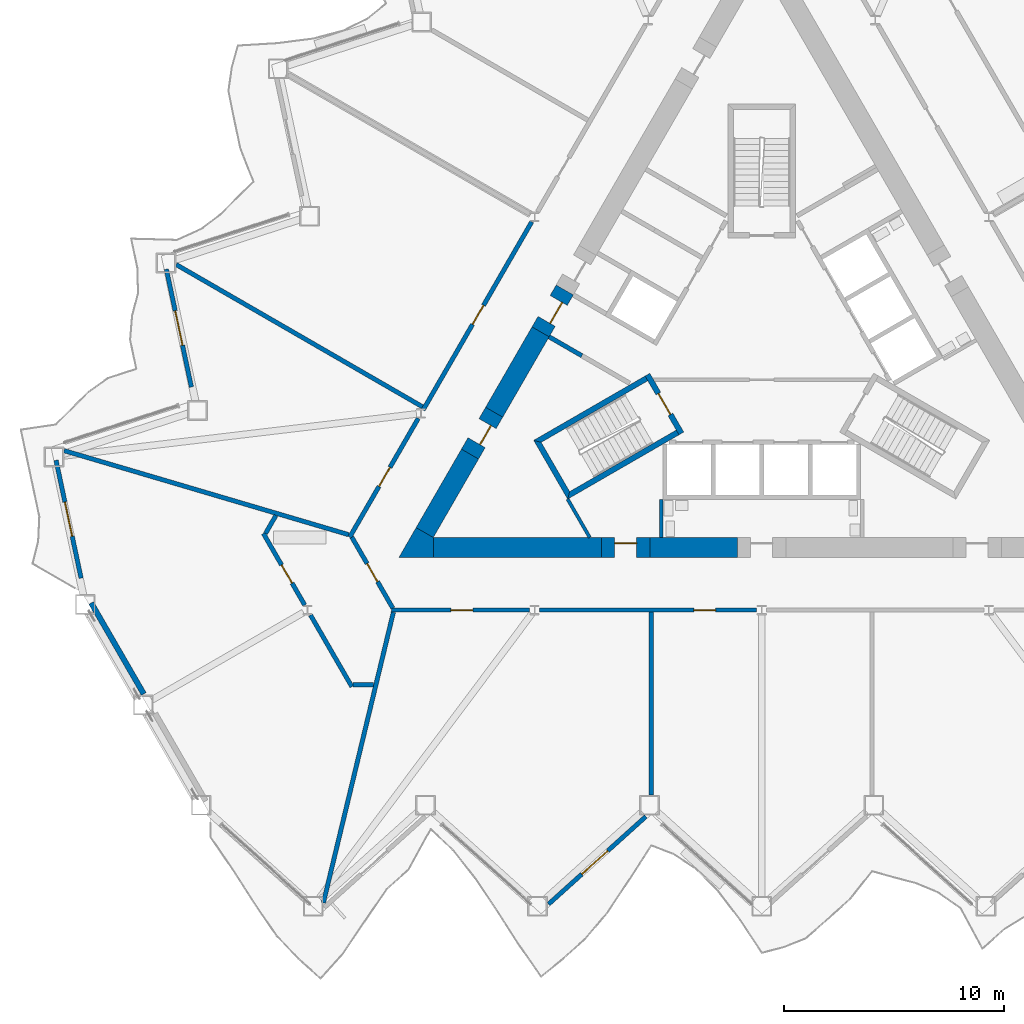
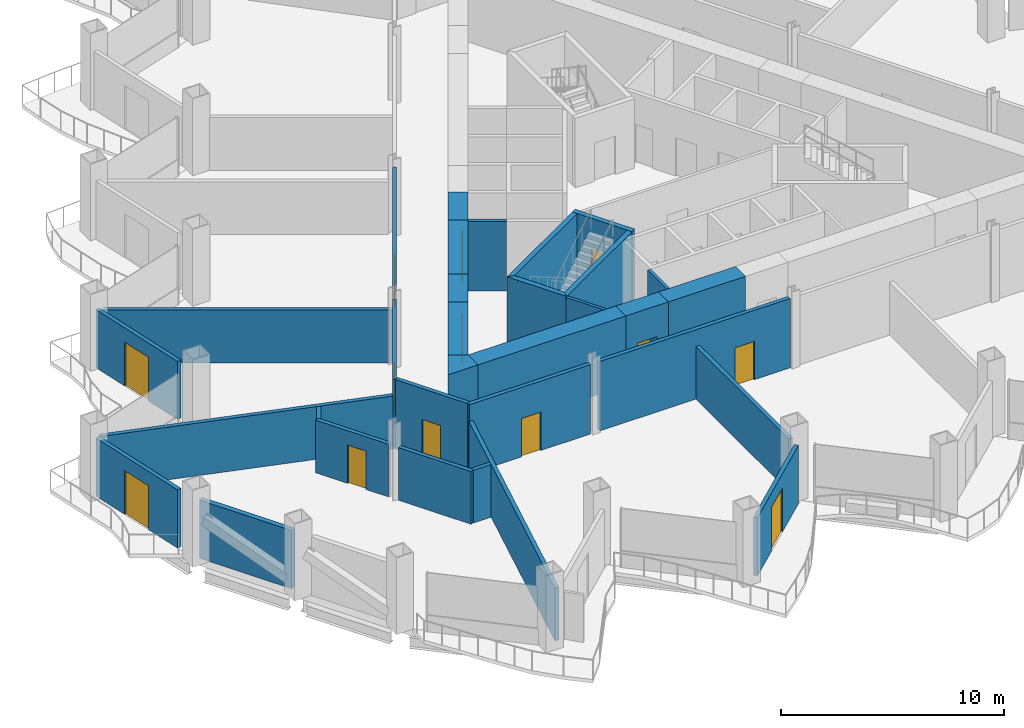
# One storey, part 10 of 21: 32 walls, 13 doors, 13 openings.
"""IFC4 building model written with IfcOpenShell, lengths in metres."""

from ifc_helpers import new_model, si_unit, direction, frame, frame_2d, origin, place, context, subcontext, project, spatial, polyline, rectangle, outline, extrude, material, layer, layer_set, type_object, element, fill, save


model = new_model("IFC4")

# Units and contexts
model_context = context("Model", 3, precision=1e-05, world=origin(), true_north=direction((0.0, 1.0)))
body_context = subcontext(model_context, "Body", "Model", "MODEL_VIEW")
ifc_project = project(units=[si_unit("LENGTHUNIT", "METRE"), si_unit("AREAUNIT", "SQUARE_METRE"), si_unit("VOLUMEUNIT", "CUBIC_METRE"), si_unit("PLANEANGLEUNIT", "RADIAN"), si_unit("MASSUNIT", "GRAM", prefix="KILO")], contexts=[model_context])

# Site, building, storey
site_placement = place(None, origin())
site = spatial("IfcSite", under=ifc_project, at=site_placement, CompositionType="ELEMENT")
building_placement = place(site_placement, origin())
building = spatial("IfcBuilding", under=site, at=building_placement, Name="Cormorant Prow Tower", CompositionType="ELEMENT")
storey_placement = place(building_placement, frame((0.0, 0.0, 120.60009765625)))
storey = spatial("IfcBuildingStorey", under=building, at=storey_placement, Name="L25", CompositionType="ELEMENT", Elevation=120.60009765625)

# Walls
ifc_material_1 = material(Name="Gypsum board partition")
ifc_layer_1 = layer(ifc_material_1, 0.14990234375)
ifc_layer_set_1 = layer_set([ifc_layer_1], Name="Gypsum board partition")
wall_type_1 = type_object("IfcWallType", Name="Core partition 150", PredefinedType="PARTITIONING", material=ifc_layer_set_1)
wall_1_placement = place(storey_placement, frame((-4.574951171875, -6.906005859375, 0.0), z_axis=(0.0, 0.0, 1.0), x_axis=(0.0, -1.0, 0.0)))
element("IfcWall", 1, at=wall_1_placement, inside=storey, type_object=wall_type_1, Name="Service room partition", PredefinedType="PARTITIONING", context=body_context, shape_type="SweptSolid", body=[
    extrude(rectangle(XDim=1.72021484375, YDim=0.14990234375, at=frame_2d((0.860107421875, 0.0))), origin(), (0.0, 0.0, 1.0), 3.7998046875),
])
wall_2_placement = place(storey_placement, frame((-8.82958984375, -6.880615234375, 0.0), z_axis=(0.0, 0.0, 1.0), x_axis=(0.500085890408, -0.865975809255, 0.0)))
element("IfcWall", 2, at=wall_2_placement, inside=storey, type_object=wall_type_1, Name="Service room partition", PredefinedType="PARTITIONING", context=body_context, shape_type="SweptSolid", body=[
    extrude(rectangle(XDim=2.015869140625, YDim=0.14990234375, at=frame_2d((1.0078125, 0.0))), origin(), (0.0, 0.0, 1.0), 3.7998046875),
])
ifc_material_2 = material(Name="Concrete 8000 psi", Category="concrete")
ifc_layer_2 = layer(ifc_material_2, 0.89990234375)
ifc_layer_set_2 = layer_set([ifc_layer_2], Name="Concrete 8000 psi")
wall_type_2 = type_object("IfcWallType", Name="Core shear wall 900", PredefinedType="SHEAR", material=ifc_layer_set_2)
wall_3_placement = place(storey_placement, frame((-14.941162109375, -9.076416015625, 0.0), z_axis=(0.0, 0.0, 1.0), x_axis=(1.0, 0.0, 0.0)))
element("IfcWall", 3, at=wall_3_placement, inside=storey, type_object=wall_type_2, Name="Core wall", PredefinedType="SHEAR", context=body_context, shape_type="SweptSolid", body=[
    extrude(rectangle(XDim=7.648681640625, YDim=0.89990234375, at=frame_2d((3.82421875, 0.0))), origin(), (0.0, 0.0, 1.0), 3.7998046875),
])
wall_4_placement = place(storey_placement, frame((-5.092529296875, -9.076416015625, 0.0), z_axis=(0.0, 0.0, 1.0), x_axis=(1.0, 0.0, 0.0)))
element("IfcWall", 4, at=wall_4_placement, inside=storey, type_object=wall_type_2, Name="Core wall", PredefinedType="SHEAR", context=body_context, shape_type="SweptSolid", body=[
    extrude(rectangle(XDim=3.992431640625, YDim=0.89990234375, at=frame_2d((1.99609375, 0.0))), origin(), (0.0, 0.0, 1.0), 3.7998046875),
])
wall_5_placement = place(storey_placement, frame((-10.060302734375, 0.7275390625, 0.0), z_axis=(0.0, 0.0, 1.0), x_axis=(-0.500021220092, -0.866013152012, 0.0)))
element("IfcWall", 5, at=wall_5_placement, inside=storey, type_object=wall_type_2, Name="Core wall", PredefinedType="SHEAR", context=body_context, shape_type="SweptSolid", body=[
    extrude(rectangle(XDim=4.220458984375, YDim=0.89990234375, at=frame_2d((2.1103515625, 0.0))), origin(), (0.0, 0.0, 1.0), 3.7998046875),
])
wall_6_placement = place(storey_placement, frame((-13.2705078125, -4.832763671875, 0.0), z_axis=(0.0, 0.0, 1.0), x_axis=(-0.499994272862, -0.866028710324, 0.0)))
element("IfcWall", 6, at=wall_6_placement, inside=storey, type_object=wall_type_2, Name="Core wall", PredefinedType="SHEAR", context=body_context, shape_type="SweptSolid", body=[
    extrude(rectangle(XDim=4.12060546875, YDim=0.89990234375, at=frame_2d((2.060302734375, 0.0))), origin(), (0.0, 0.0, 1.0), 3.7998046875),
])
wall_7_placement = place(storey_placement, origin())
element("IfcWall", 7, at=wall_7_placement, inside=storey, type_object=wall_type_2, Name="Core wall corner", PredefinedType="SHEAR", context=body_context, shape_type="SweptSolid", body=[
    extrude(outline(polyline([(-14.941162109375, -8.626220703125), (-14.941162109375, -9.5263671875), (-16.5, -9.5263671875), (-15.720703125, -8.17626953125), (-14.941162109375, -8.626220703125)])), origin(), (0.0, 0.0, 1.0), 3.7998046875),
])

# Wall, opening, door
wall_8_placement = place(storey_placement, frame((-12.170654296875, -2.927490234375, 0.0), z_axis=(0.0, 0.0, 1.0), x_axis=(-0.499946605688, -0.86605622881, 0.0)))
wall_8 = element("IfcWall", 8, at=wall_8_placement, inside=storey, type_object=wall_type_2, Name="Core wall door panel", PredefinedType="SHEAR", context=body_context, shape_type="SweptSolid", body=[
    extrude(rectangle(XDim=2.199951171875, YDim=0.89990234375, at=frame_2d((1.10009765625, 0.0))), origin(), (0.0, 0.0, 1.0), 3.7998046875),
])
opening_1_placement = place(wall_8_placement, frame((0.60009765625, 0.0, 0.0)))
opening_1 = element("IfcOpeningElement", 9, at=opening_1_placement, cuts=wall_8, Name="Opening L25-C17", PredefinedType="OPENING", context=body_context, shape_type="SweptSolid", body=[
    extrude(rectangle(XDim=1.0, YDim=2.10009765625, at=frame_2d((0.5, 1.050048828125))), frame((0.0, 0.4599609375, 0.0), z_axis=(0.0, -1.0, 0.0), x_axis=(1.0, 0.0, 0.0)), (0.0, 0.0, 1.0), 0.919921875),
])
ifc_material_3 = material(Name="Painted steel", Category="steel")
door_type_1 = type_object("IfcDoorType", Name="Service door 1000x2100", OperationType="NOTDEFINED", PredefinedType="DOOR", material=ifc_material_3)
door_1_placement = place(opening_1_placement, origin())
door_1 = element("IfcDoor", 10, at=door_1_placement, inside=storey, type_object=door_type_1, Name="Core door, Mechanical riser room", OperationType="SINGLE_SWING_RIGHT", OverallHeight=2.10009765625, OverallWidth=1.0, PredefinedType="DOOR", context=body_context, shape_type="SweptSolid", body=[
    extrude(rectangle(XDim=1.0, YDim=2.10009765625, at=frame_2d((0.5, 1.050048828125))), frame((0.0, 0.205078125, 0.0), z_axis=(0.0, -1.0, 0.0), x_axis=(1.0, 0.0, 0.0)), (0.0, 0.0, 1.0), 0.050048828125),
])
fill(opening_1, door_1)

wall_9_placement = place(storey_placement, frame((-7.29248046875, -9.076416015625, 0.0), z_axis=(0.0, 0.0, 1.0), x_axis=(1.0, 0.0, 0.0)))
wall_9 = element("IfcWall", 11, at=wall_9_placement, inside=storey, type_object=wall_type_2, Name="Core wall door panel", PredefinedType="SHEAR", context=body_context, shape_type="SweptSolid", body=[
    extrude(rectangle(XDim=2.199951171875, YDim=0.89990234375, at=frame_2d((1.10009765625, 0.0))), origin(), (0.0, 0.0, 1.0), 3.7998046875),
])
opening_2_placement = place(wall_9_placement, frame((0.60009765625, 0.0, 0.0)))
opening_2 = element("IfcOpeningElement", 12, at=opening_2_placement, cuts=wall_9, Name="Opening L25-C21", PredefinedType="OPENING", context=body_context, shape_type="SweptSolid", body=[
    extrude(rectangle(XDim=1.0, YDim=2.10009765625, at=frame_2d((0.5, 1.050048828125))), frame((0.0, 0.4599609375, 0.0), z_axis=(0.0, -1.0, 0.0), x_axis=(1.0, 0.0, 0.0)), (0.0, 0.0, 1.0), 0.919921875),
])
door_2_placement = place(opening_2_placement, origin())
door_2 = element("IfcDoor", 13, at=door_2_placement, inside=storey, type_object=door_type_1, Name="Core door, Mechanical riser room", OperationType="SINGLE_SWING_RIGHT", OverallHeight=2.10009765625, OverallWidth=1.0, PredefinedType="DOOR", context=body_context, shape_type="SweptSolid", body=[
    extrude(rectangle(XDim=1.0, YDim=2.10009765625, at=frame_2d((0.5, 1.050048828125))), frame((0.0, 0.205078125, 0.0), z_axis=(0.0, -1.0, 0.0), x_axis=(1.0, 0.0, 0.0)), (0.0, 0.0, 1.0), 0.050048828125),
])
fill(opening_2, door_2)

wall_10_placement = place(storey_placement, frame((-8.960205078125, 2.6328125, 0.0), z_axis=(0.0, 0.0, 1.0), x_axis=(-0.50002983664, -0.866008176907, 0.0)))
wall_10 = element("IfcWall", 14, at=wall_10_placement, inside=storey, type_object=wall_type_2, Name="Core wall door panel", PredefinedType="SHEAR", context=body_context, shape_type="SweptSolid", body=[
    extrude(rectangle(XDim=2.199951171875, YDim=0.89990234375, at=frame_2d((1.10009765625, 0.0))), origin(), (0.0, 0.0, 1.0), 3.7998046875),
])
opening_3_placement = place(wall_10_placement, frame((0.550048828125, 0.0, 0.0)))
opening_3 = element("IfcOpeningElement", 15, at=opening_3_placement, cuts=wall_10, Name="Opening L25-C22", PredefinedType="OPENING", context=body_context, shape_type="SweptSolid", body=[
    extrude(rectangle(XDim=1.10009765625, YDim=2.10009765625, at=frame_2d((0.550048828125, 1.050048828125))), frame((0.0, 0.4599609375, 0.0), z_axis=(0.0, -1.0, 0.0), x_axis=(1.0, 0.0, 0.0)), (0.0, 0.0, 1.0), 0.919921875),
])
ifc_material_4 = material(Name="Painted steel", Category="steel")
door_type_2 = type_object("IfcDoorType", Name="Core door 1100x2100", OperationType="NOTDEFINED", PredefinedType="DOOR", material=ifc_material_4)
door_3_placement = place(opening_3_placement, origin())
door_3 = element("IfcDoor", 16, at=door_3_placement, inside=storey, type_object=door_type_2, Name="Core door, lift lobby", OperationType="SINGLE_SWING_RIGHT", OverallHeight=2.10009765625, OverallWidth=1.10009765625, PredefinedType="DOOR", context=body_context, shape_type="SweptSolid", body=[
    extrude(rectangle(XDim=1.10009765625, YDim=2.10009765625, at=frame_2d((0.550048828125, 1.050048828125))), frame((0.0, 0.205078125, 0.0), z_axis=(0.0, -1.0, 0.0), x_axis=(1.0, 0.0, 0.0)), (0.0, 0.0, 1.0), 0.050048828125),
])
fill(opening_3, door_3)

ifc_material_5 = material(Name="Gypsum board corridor wall")
ifc_layer_3 = layer(ifc_material_5, 0.199951171875)
ifc_layer_set_3 = layer_set([ifc_layer_3], Name="Gypsum board corridor wall")
wall_type_3 = type_object("IfcWallType", Name="Corridor wall 200", PredefinedType="PARTITIONING", material=ifc_layer_set_3)
wall_11_placement = place(storey_placement, frame((-10.10107421875, -11.92626953125, 0.0), z_axis=(0.0, 0.0, 1.0), x_axis=(1.0, 0.0, 0.0)))
wall_11 = element("IfcWall", 17, at=wall_11_placement, inside=storey, type_object=wall_type_3, Name="Corridor wall", PredefinedType="PARTITIONING", context=body_context, shape_type="SweptSolid", body=[
    extrude(rectangle(XDim=9.873779296875, YDim=0.199951171875, at=frame_2d((4.93701171875, 0.0))), origin(), (0.0, 0.0, 1.0), 3.7998046875),
])
opening_4_placement = place(wall_11_placement, frame((7.009521484375, 0.0, 0.0)))
opening_4 = element("IfcOpeningElement", 18, at=opening_4_placement, cuts=wall_11, Name="Opening L25-F02", PredefinedType="OPENING", context=body_context, shape_type="SweptSolid", body=[
    extrude(rectangle(XDim=1.0, YDim=2.10009765625, at=frame_2d((0.5, 1.050048828125))), frame((0.0, 0.10986328125, 0.0), z_axis=(0.0, -1.0, 0.0), x_axis=(1.0, 0.0, 0.0)), (0.0, 0.0, 1.0), 0.219970703125),
])
ifc_material_6 = material(Name="Timber door leaf", Category="wood")
door_type_3 = type_object("IfcDoorType", Name="Office door 1000x2100", OperationType="NOTDEFINED", PredefinedType="DOOR", material=ifc_material_6)
door_4_placement = place(opening_4_placement, origin())
door_4 = element("IfcDoor", 19, at=door_4_placement, inside=storey, type_object=door_type_3, Name="Co-working room door", OperationType="SINGLE_SWING_RIGHT", OverallHeight=2.10009765625, OverallWidth=1.0, PredefinedType="DOOR", context=body_context, shape_type="SweptSolid", body=[
    extrude(rectangle(XDim=1.0, YDim=2.10009765625, at=frame_2d((0.5, 1.050048828125))), frame((0.0, 0.02490234375, 0.0), z_axis=(0.0, -1.0, 0.0), x_axis=(1.0, 0.0, 0.0)), (0.0, 0.0, 1.0), 0.050048828125),
])
fill(opening_4, door_4)

wall_12_placement = place(storey_placement, frame((-15.401611328125, -2.823486328125, 0.0), z_axis=(0.0, 0.0, 1.0), x_axis=(0.500023237168, 0.866011987384, 0.0)))
wall_12 = element("IfcWall", 20, at=wall_12_placement, inside=storey, type_object=wall_type_3, Name="Corridor wall", PredefinedType="PARTITIONING", context=body_context, shape_type="SweptSolid", body=[
    extrude(rectangle(XDim=9.88330078125, YDim=0.199951171875, at=frame_2d((4.941650390625, 0.0))), origin(), (0.0, 0.0, 1.0), 3.7998046875),
])
opening_5_placement = place(wall_12_placement, frame((4.4921875, 0.0, 0.0)))
opening_5 = element("IfcOpeningElement", 21, at=opening_5_placement, cuts=wall_12, Name="Opening L25-F11", PredefinedType="OPENING", context=body_context, shape_type="SweptSolid", body=[
    extrude(rectangle(XDim=1.0, YDim=2.10009765625, at=frame_2d((0.5, 1.050048828125))), frame((0.0, 0.10986328125, 0.0), z_axis=(0.0, -1.0, 0.0), x_axis=(1.0, 0.0, 0.0)), (0.0, 0.0, 1.0), 0.219970703125),
])
door_5_placement = place(opening_5_placement, origin())
door_5 = element("IfcDoor", 22, at=door_5_placement, inside=storey, type_object=door_type_3, Name="Open-plan office door", OperationType="SINGLE_SWING_RIGHT", OverallHeight=2.10009765625, OverallWidth=1.0, PredefinedType="DOOR", context=body_context, shape_type="SweptSolid", body=[
    extrude(rectangle(XDim=1.0, YDim=2.10009765625, at=frame_2d((0.5, 1.050048828125))), frame((0.0, 0.02490234375, 0.0), z_axis=(0.0, -1.0, 0.0), x_axis=(1.0, 0.0, 0.0)), (0.0, 0.0, 1.0), 0.050048828125),
])
fill(opening_5, door_5)

wall_13_placement = place(storey_placement, frame((-16.830810546875, -11.92626953125, 0.0), z_axis=(0.0, 0.0, 1.0), x_axis=(1.0, 0.0, 0.0)))
wall_13 = element("IfcWall", 23, at=wall_13_placement, inside=storey, type_object=wall_type_3, Name="Corridor wall", PredefinedType="PARTITIONING", context=body_context, shape_type="SweptSolid", body=[
    extrude(rectangle(XDim=6.27490234375, YDim=0.199951171875, at=frame_2d((3.137451171875, 0.0))), origin(), (0.0, 0.0, 1.0), 3.7998046875),
])
opening_6_placement = place(wall_13_placement, frame((2.688232421875, 0.0, 0.0)))
opening_6 = element("IfcOpeningElement", 24, at=opening_6_placement, cuts=wall_13, Name="Opening L25-F01", PredefinedType="OPENING", context=body_context, shape_type="SweptSolid", body=[
    extrude(rectangle(XDim=1.0, YDim=2.10009765625, at=frame_2d((0.5, 1.050048828125))), frame((0.0, 0.10986328125, 0.0), z_axis=(0.0, -1.0, 0.0), x_axis=(1.0, 0.0, 0.0)), (0.0, 0.0, 1.0), 0.219970703125),
])
door_6_placement = place(opening_6_placement, origin())
door_6 = element("IfcDoor", 25, at=door_6_placement, inside=storey, type_object=door_type_3, Name="Tenant suite door", OperationType="SINGLE_SWING_RIGHT", OverallHeight=2.10009765625, OverallWidth=1.0, PredefinedType="DOOR", context=body_context, shape_type="SweptSolid", body=[
    extrude(rectangle(XDim=1.0, YDim=2.10009765625, at=frame_2d((0.5, 1.050048828125))), frame((0.0, 0.02490234375, 0.0), z_axis=(0.0, -1.0, 0.0), x_axis=(1.0, 0.0, 0.0)), (0.0, 0.0, 1.0), 0.050048828125),
])
fill(opening_6, door_6)

wall_14_placement = place(storey_placement, frame((-18.743896484375, -8.61279296875, 0.0), z_axis=(0.0, 0.0, 1.0), x_axis=(0.499997920671, 0.866026604282, 0.0)))
wall_14 = element("IfcWall", 26, at=wall_14_placement, inside=storey, type_object=wall_type_3, Name="Corridor wall", PredefinedType="PARTITIONING", context=body_context, shape_type="SweptSolid", body=[
    extrude(rectangle(XDim=6.23974609375, YDim=0.199951171875, at=frame_2d((3.119873046875, 0.0))), origin(), (0.0, 0.0, 1.0), 3.7998046875),
])
opening_7_placement = place(wall_14_placement, frame((2.67041015625, 0.0, 0.0)))
opening_7 = element("IfcOpeningElement", 27, at=opening_7_placement, cuts=wall_14, Name="Opening L25-F12", PredefinedType="OPENING", context=body_context, shape_type="SweptSolid", body=[
    extrude(rectangle(XDim=1.0, YDim=2.10009765625, at=frame_2d((0.5, 1.050048828125))), frame((0.0, 0.10986328125, 0.0), z_axis=(0.0, -1.0, 0.0), x_axis=(1.0, 0.0, 0.0)), (0.0, 0.0, 1.0), 0.219970703125),
])
door_7_placement = place(opening_7_placement, origin())
door_7 = element("IfcDoor", 28, at=door_7_placement, inside=storey, type_object=door_type_3, Name="Tenant suite door", OperationType="SINGLE_SWING_RIGHT", OverallHeight=2.10009765625, OverallWidth=1.0, PredefinedType="DOOR", context=body_context, shape_type="SweptSolid", body=[
    extrude(rectangle(XDim=1.0, YDim=2.10009765625, at=frame_2d((0.5, 1.050048828125))), frame((0.0, 0.02490234375, 0.0), z_axis=(0.0, -1.0, 0.0), x_axis=(1.0, 0.0, 0.0)), (0.0, 0.0, 1.0), 0.050048828125),
])
fill(opening_7, door_7)

wall_15_placement = place(storey_placement, frame((-18.643798828125, -8.61279296875, 0.0), z_axis=(0.0, 0.0, 1.0), x_axis=(0.499958791762, -0.866049194065, 0.0)))
wall_15 = element("IfcWall", 29, at=wall_15_placement, inside=storey, type_object=wall_type_3, Name="Corridor wall", PredefinedType="PARTITIONING", context=body_context, shape_type="SweptSolid", body=[
    extrude(rectangle(XDim=3.725830078125, YDim=0.199951171875, at=frame_2d((1.86279296875, 0.0))), origin(), (0.0, 0.0, 1.0), 3.7998046875),
])
opening_8_placement = place(wall_15_placement, frame((1.387939453125, 0.0, 0.0)))
opening_8 = element("IfcOpeningElement", 30, at=opening_8_placement, cuts=wall_15, Name="Opening L25-F13", PredefinedType="OPENING", context=body_context, shape_type="SweptSolid", body=[
    extrude(rectangle(XDim=0.949951171875, YDim=2.10009765625, at=frame_2d((0.47509765625, 1.050048828125))), frame((0.0, 0.10986328125, 0.0), z_axis=(0.0, -1.0, 0.0), x_axis=(1.0, 0.0, 0.0)), (0.0, 0.0, 1.0), 0.219970703125),
])
ifc_material_7 = material(Name="Timber door leaf", Category="wood")
door_type_4 = type_object("IfcDoorType", Name="Store door 950x2100", OperationType="NOTDEFINED", PredefinedType="DOOR", material=ifc_material_7)
door_8_placement = place(opening_8_placement, origin())
door_8 = element("IfcDoor", 31, at=door_8_placement, inside=storey, type_object=door_type_4, Name="Tea point and pantry door", OperationType="SINGLE_SWING_RIGHT", OverallHeight=2.10009765625, OverallWidth=0.949951171875, PredefinedType="DOOR", context=body_context, shape_type="SweptSolid", body=[
    extrude(rectangle(XDim=0.949951171875, YDim=2.10009765625, at=frame_2d((0.47509765625, 1.050048828125))), frame((0.0, 0.02490234375, 0.0), z_axis=(0.0, -1.0, 0.0), x_axis=(1.0, 0.0, 0.0)), (0.0, 0.0, 1.0), 0.050048828125),
])
fill(opening_8, door_8)

# Walls
ifc_material_8 = material(Name="Gypsum board demising wall")
ifc_layer_4 = layer(ifc_material_8, 0.199951171875)
ifc_layer_set_4 = layer_set([ifc_layer_4], Name="Gypsum board demising wall")
wall_type_4 = type_object("IfcWallType", Name="Demising wall 200", PredefinedType="PARTITIONING", material=ifc_layer_set_4)
wall_16_placement = place(storey_placement, frame((-19.939697265625, -25.244384765625, 0.0), z_axis=(0.0, 0.0, 1.0), x_axis=(0.234226353532, 0.972182089586, 0.0)))
element("IfcWall", 32, at=wall_16_placement, inside=storey, type_object=wall_type_4, Name="Demising wall", PredefinedType="PARTITIONING", context=body_context, shape_type="SweptSolid", body=[
    extrude(rectangle(XDim=13.599365234375, YDim=0.199951171875, at=frame_2d((6.7998046875, 0.0))), origin(), (0.0, 0.0, 1.0), 2.88525390625),
])
wall_17_placement = place(storey_placement, frame((-31.736083984375, -4.674560546875, 0.0), z_axis=(0.0, 0.0, 1.0), x_axis=(0.959053889024, -0.283223653581, 0.0)))
element("IfcWall", 33, at=wall_17_placement, inside=storey, type_object=wall_type_4, Name="Demising wall", PredefinedType="PARTITIONING", context=body_context, shape_type="SweptSolid", body=[
    extrude(rectangle(XDim=13.4990234375, YDim=0.199951171875, at=frame_2d((6.74951171875, 0.0))), origin(), (0.0, 0.0, 1.0), 2.88525390625),
])
wall_18_placement = place(storey_placement, frame((-26.63623046875, 3.789794921875, 0.0), z_axis=(0.0, 0.0, 1.0), x_axis=(0.866029074283, -0.499993642455, 0.0)))
element("IfcWall", 34, at=wall_18_placement, inside=storey, type_object=wall_type_4, Name="Demising wall", PredefinedType="PARTITIONING", context=body_context, shape_type="SweptSolid", body=[
    extrude(rectangle(XDim=12.936279296875, YDim=0.199951171875, at=frame_2d((6.46826171875, 0.0))), origin(), (0.0, 0.0, 1.0), 2.88525390625),
])
wall_19_placement = place(storey_placement, frame((-5.01806640625, -20.34716796875, 0.0), z_axis=(0.0, 0.0, 1.0), x_axis=(0.0, 1.0, 0.0)))
element("IfcWall", 35, at=wall_19_placement, inside=storey, type_object=wall_type_4, Name="Demising wall", PredefinedType="PARTITIONING", context=body_context, shape_type="SweptSolid", body=[
    extrude(rectangle(XDim=8.32080078125, YDim=0.199951171875, at=frame_2d((4.160400390625, 0.0))), origin(), (0.0, 0.0, 1.0), 2.88525390625),
])
wall_20_placement = place(storey_placement, frame((-20.525634765625, -12.15380859375, 0.0), z_axis=(0.0, 0.0, 1.0), x_axis=(0.500046282919, -0.86599868068, 0.0)))
element("IfcWall", 36, at=wall_20_placement, inside=storey, type_object=wall_type_4, Name="Demising wall", PredefinedType="PARTITIONING", context=body_context, shape_type="SweptSolid", body=[
    extrude(rectangle(XDim=3.763427734375, YDim=0.199951171875, at=frame_2d((1.8818359375, 0.0))), origin(), (0.0, 0.0, 1.0), 2.88525390625),
])

# Wall, opening, door
wall_21_placement = place(storey_placement, frame((-22.669921875, -8.439697265625, 0.0), z_axis=(0.0, 0.0, 1.0), x_axis=(0.500018191375, -0.866014900734, 0.0)))
wall_21 = element("IfcWall", 37, at=wall_21_placement, inside=storey, type_object=wall_type_4, Name="Demising wall", PredefinedType="PARTITIONING", context=body_context, shape_type="SweptSolid", body=[
    extrude(rectangle(XDim=3.763427734375, YDim=0.199951171875, at=frame_2d((1.8818359375, 0.0))), origin(), (0.0, 0.0, 1.0), 2.88525390625),
])
opening_9_placement = place(wall_21_placement, frame((1.658203125, 0.0, 0.0)))
opening_9 = element("IfcOpeningElement", 38, at=opening_9_placement, cuts=wall_21, Name="Opening L25-F14", PredefinedType="OPENING", context=body_context, shape_type="SweptSolid", body=[
    extrude(rectangle(XDim=0.949951171875, YDim=2.10009765625, at=frame_2d((0.47509765625, 1.050048828125))), frame((0.0, 0.10986328125, 0.0), z_axis=(0.0, -1.0, 0.0), x_axis=(1.0, 0.0, 0.0)), (0.0, 0.0, 1.0), 0.219970703125),
])
door_9_placement = place(opening_9_placement, origin())
door_9 = element("IfcDoor", 39, at=door_9_placement, inside=storey, type_object=door_type_4, Name="Print and copy room door", OperationType="SINGLE_SWING_LEFT", OverallHeight=2.10009765625, OverallWidth=0.949951171875, PredefinedType="DOOR", context=body_context, shape_type="SweptSolid", body=[
    extrude(rectangle(XDim=0.949951171875, YDim=2.10009765625, at=frame_2d((0.47509765625, 1.050048828125))), frame((0.0, 0.02490234375, 0.0), z_axis=(0.0, -1.0, 0.0), x_axis=(1.0, 0.0, 0.0)), (0.0, 0.0, 1.0), 0.050048828125),
])
fill(opening_9, door_9)

# Walls
for number, where, z_axis, x_axis, name in (
    (40, (-18.593994140625, -15.326416015625, 0.0), (0.0, 0.0, 1.0), (1.0, 0.0, 0.0), "Demising wall"),
    (41, (-22.56982421875, -8.439697265625, 0.0), (0.0, 0.0, 1.0), (0.500006071987, 0.866021898093, 0.0), "Demising wall"),
):
    element("IfcWall", number, at=place(storey_placement, frame(where, z_axis=z_axis, x_axis=x_axis)), inside=storey, type_object=wall_type_4, Name=name, PredefinedType="PARTITIONING", context=body_context, shape_type="SweptSolid", body=[
        extrude(rectangle(XDim=0.94384765625, YDim=0.199951171875, at=frame_2d((0.471923828125, 0.0))), origin(), (0.0, 0.0, 1.0), 2.88525390625),
    ])
ifc_material_9 = material(Name="Concrete 8000 psi", Category="concrete")
ifc_layer_5 = layer(ifc_material_9, 0.199951171875)
ifc_layer_set_5 = layer_set([ifc_layer_5], Name="Concrete 8000 psi")
wall_type_5 = type_object("IfcWallType", Name="Lift shaft wall 200", PredefinedType="SHEAR", material=ifc_layer_set_5)
wall_22_placement = place(storey_placement, frame((-8.180908203125, -0.357421875, 0.0), z_axis=(0.0, 0.0, 1.0), x_axis=(-0.866024871741, 0.500000921525, 0.0)))
element("IfcWall", 42, at=wall_22_placement, inside=storey, type_object=wall_type_5, Name="Lobby passage wall", PredefinedType="SHEAR", context=body_context, shape_type="SweptSolid", body=[
    extrude(rectangle(XDim=1.72021484375, YDim=0.199951171875, at=frame_2d((0.860107421875, 0.0))), origin(), (0.0, 0.0, 1.0), 3.7998046875),
])
ifc_material_10 = material(Name="Concrete 8000 psi", Category="concrete")
ifc_layer_6 = layer(ifc_material_10, 0.25)
ifc_layer_set_6 = layer_set([ifc_layer_6], Name="Concrete 8000 psi")
wall_type_6 = type_object("IfcWallType", Name="Stair wall 250", PredefinedType="SHEAR", material=ifc_layer_set_6)
wall_23_placement = place(storey_placement, origin())
element("IfcWall", 43, at=wall_23_placement, inside=storey, type_object=wall_type_6, Name="Stair ST1 enclosure wall (flank)", PredefinedType="SHEAR", context=body_context, shape_type="SweptSolid", body=[
    extrude(outline(polyline([(-5.30712890625, -1.28125), (-10.37353515625, -4.206298828125), (-10.031982421875, -4.2978515625), (-5.18212890625, -1.497802734375), (-5.30712890625, -1.28125)])), origin(), (0.0, 0.0, 1.0), 3.7998046875),
])
wall_24_placement = place(storey_placement, origin())
element("IfcWall", 44, at=wall_24_placement, inside=storey, type_object=wall_type_6, Name="Stair ST1 enclosure wall (end)", PredefinedType="SHEAR", context=body_context, shape_type="SweptSolid", body=[
    extrude(outline(polyline([(-10.37353515625, -4.206298828125), (-8.82958984375, -6.880615234375), (-8.738037109375, -6.5390625), (-10.031982421875, -4.2978515625), (-10.37353515625, -4.206298828125)])), origin(), (0.0, 0.0, 1.0), 3.7998046875),
])
wall_25_placement = place(storey_placement, origin())
element("IfcWall", 45, at=wall_25_placement, inside=storey, type_object=wall_type_6, Name="Stair ST1 enclosure wall (flank)", PredefinedType="SHEAR", context=body_context, shape_type="SweptSolid", body=[
    extrude(outline(polyline([(-8.738037109375, -6.5390625), (-8.82958984375, -6.880615234375), (-3.76318359375, -3.95556640625), (-3.88818359375, -3.739013671875), (-8.738037109375, -6.5390625)])), origin(), (0.0, 0.0, 1.0), 3.7998046875),
])

# Wall, opening, door
wall_26_placement = place(storey_placement, frame((-5.198974609375, -1.21875, 0.0), z_axis=(0.0, 0.0, 1.0), x_axis=(0.499982516597, -0.866035497597, 0.0)))
wall_26 = element("IfcWall", 46, at=wall_26_placement, inside=storey, type_object=wall_type_6, Name="Stair ST1 door wall", PredefinedType="SHEAR", context=body_context, shape_type="SweptSolid", body=[
    extrude(rectangle(XDim=3.087890625, YDim=0.25, at=frame_2d((1.5439453125, 0.0))), origin(), (0.0, 0.0, 1.0), 3.7998046875),
])
opening_10_placement = place(wall_26_placement, frame((0.993896484375, 0.0, 0.0)))
opening_10 = element("IfcOpeningElement", 47, at=opening_10_placement, cuts=wall_26, Name="Opening L25-C12", PredefinedType="OPENING", context=body_context, shape_type="SweptSolid", body=[
    extrude(rectangle(XDim=1.10009765625, YDim=2.10009765625, at=frame_2d((0.550048828125, 1.050048828125))), frame((0.0, 0.135009765625, 0.0), z_axis=(0.0, -1.0, 0.0), x_axis=(1.0, 0.0, 0.0)), (0.0, 0.0, 1.0), 0.27001953125),
])
ifc_material_11 = material(Name="Painted steel", Category="steel")
door_type_5 = type_object("IfcDoorType", Name="Stair door 1100x2100", OperationType="NOTDEFINED", PredefinedType="DOOR", material=ifc_material_11)
door_10_placement = place(opening_10_placement, origin())
door_10 = element("IfcDoor", 48, at=door_10_placement, inside=storey, type_object=door_type_5, Name="Stair ST1 door", OperationType="SINGLE_SWING_LEFT", OverallHeight=2.10009765625, OverallWidth=1.10009765625, PredefinedType="DOOR", context=body_context, shape_type="SweptSolid", body=[
    extrude(rectangle(XDim=1.10009765625, YDim=2.10009765625, at=frame_2d((0.550048828125, 1.050048828125))), frame((0.0, 0.02490234375, 0.0), z_axis=(0.0, -1.0, 0.0), x_axis=(1.0, 0.0, 0.0)), (0.0, 0.0, 1.0), 0.050048828125),
])
fill(opening_10, door_10)

# Wall
ifc_material_12 = material(Name="Terracotta", Category="masonry")
ifc_layer_7 = layer(ifc_material_12, 0.25)
ifc_layer_set_7 = layer_set([ifc_layer_7], Name="Terracotta")
wall_type_7 = type_object("IfcWallType", Name="Terracotta bay wall 250", PredefinedType="SOLIDWALL", material=ifc_layer_set_7)
wall_27_placement = place(storey_placement, frame((-30.50048828125, -11.604248046875, 0.0), z_axis=(0.0, 0.0, 1.0), x_axis=(0.499984810975, -0.866034172995, 0.0)))
element("IfcWall", 49, at=wall_27_placement, inside=storey, type_object=wall_type_7, Name="Terracotta bay wall WSW00", PredefinedType="SOLIDWALL", context=body_context, shape_type="SweptSolid", body=[
    extrude(rectangle(XDim=4.779541015625, YDim=0.25, at=frame_2d((2.3896484375, 0.0))), origin(), (0.0, 0.0, 1.0), 3.188720703125),
])

# Wall, opening, door
ifc_material_13 = material(Name="Terracotta", Category="masonry")
ifc_layer_8 = layer(ifc_material_13, 0.199951171875)
ifc_layer_set_8 = layer_set([ifc_layer_8], Name="Terracotta")
wall_type_8 = type_object("IfcWallType", Name="Terracotta jamb wall 200", PredefinedType="SOLIDWALL", material=ifc_layer_set_8)
wall_28_placement = place(storey_placement, frame((-9.6962890625, -25.30322265625, 0.0), z_axis=(0.0, 0.0, 1.0), x_axis=(0.743141307259, 0.669134513716, 0.0)))
wall_28 = element("IfcWall", 50, at=wall_28_placement, inside=storey, type_object=wall_type_8, Name="Terracotta jamb wall S03", PredefinedType="SOLIDWALL", context=body_context, shape_type="SweptSolid", body=[
    extrude(rectangle(XDim=5.957763671875, YDim=0.199951171875, at=frame_2d((2.97900390625, 0.0))), origin(), (0.0, 0.0, 1.0), 3.188720703125),
])
opening_11_placement = place(wall_28_placement, frame((2.029052734375, 0.0, 0.0)))
opening_11 = element("IfcOpeningElement", 51, at=opening_11_placement, cuts=wall_28, Name="Opening ED25.02", PredefinedType="OPENING", context=body_context, shape_type="SweptSolid", body=[
    extrude(rectangle(XDim=1.60009765625, YDim=2.39990234375, at=frame_2d((0.800048828125, 1.199951171875))), frame((0.0, 0.10986328125, 0.0), z_axis=(0.0, -1.0, 0.0), x_axis=(1.0, 0.0, 0.0)), (0.0, 0.0, 1.0), 0.219970703125),
])
ifc_material_14 = material(Name="Aluminium 6063-T6", Category="aluminium")
door_type_6 = type_object("IfcDoorType", Name="Balcony door 1600x2400", OperationType="DOUBLE_DOOR_SINGLE_SWING", PredefinedType="DOOR", material=ifc_material_14)
door_11_placement = place(opening_11_placement, origin())
door_11 = element("IfcDoor", 52, at=door_11_placement, inside=storey, type_object=door_type_6, Name="Balcony door S03 ED25.02", OperationType="DOUBLE_DOOR_SINGLE_SWING", OverallHeight=2.39990234375, OverallWidth=1.60009765625, PredefinedType="DOOR", context=body_context, shape_type="SweptSolid", body=[
    extrude(rectangle(XDim=1.60009765625, YDim=2.39990234375, at=frame_2d((0.800048828125, 1.199951171875))), frame((0.0, 0.02490234375, 0.0), z_axis=(0.0, -1.0, 0.0), x_axis=(1.0, 0.0, 0.0)), (0.0, 0.0, 1.0), 0.050048828125),
])
fill(opening_11, door_11)

wall_29_placement = place(storey_placement, frame((-27.082763671875, 3.5791015625, 0.0), z_axis=(0.0, 0.0, 1.0), x_axis=(0.207898180805, -0.978150472278, 0.0)))
wall_29 = element("IfcWall", 53, at=wall_29_placement, inside=storey, type_object=wall_type_8, Name="Terracotta jamb wall WNW07", PredefinedType="SOLIDWALL", context=body_context, shape_type="SweptSolid", body=[
    extrude(rectangle(XDim=5.48046875, YDim=0.199951171875, at=frame_2d((2.740234375, 0.0))), origin(), (0.0, 0.0, 1.0), 3.188720703125),
])
opening_12_placement = place(wall_29_placement, frame((1.940185546875, 0.0, 0.0)))
opening_12 = element("IfcOpeningElement", 54, at=opening_12_placement, cuts=wall_29, Name="Opening ED25.14", PredefinedType="OPENING", context=body_context, shape_type="SweptSolid", body=[
    extrude(rectangle(XDim=1.60009765625, YDim=2.39990234375, at=frame_2d((0.800048828125, 1.199951171875))), frame((0.0, 0.10986328125, 0.0), z_axis=(0.0, -1.0, 0.0), x_axis=(1.0, 0.0, 0.0)), (0.0, 0.0, 1.0), 0.219970703125),
])
door_12_placement = place(opening_12_placement, origin())
door_12 = element("IfcDoor", 55, at=door_12_placement, inside=storey, type_object=door_type_6, Name="Balcony door WNW07 ED25.14", OperationType="DOUBLE_DOOR_SINGLE_SWING", OverallHeight=2.39990234375, OverallWidth=1.60009765625, PredefinedType="DOOR", context=body_context, shape_type="SweptSolid", body=[
    extrude(rectangle(XDim=1.60009765625, YDim=2.39990234375, at=frame_2d((0.800048828125, 1.199951171875))), frame((0.0, 0.02490234375, 0.0), z_axis=(0.0, -1.0, 0.0), x_axis=(1.0, 0.0, 0.0)), (0.0, 0.0, 1.0), 0.050048828125),
])
fill(opening_12, door_12)

wall_30_placement = place(storey_placement, frame((-32.100830078125, -5.112548828125, 0.0), z_axis=(0.0, 0.0, 1.0), x_axis=(0.207949862117, -0.978139486395, 0.0)))
wall_30 = element("IfcWall", 56, at=wall_30_placement, inside=storey, type_object=wall_type_8, Name="Terracotta jamb wall WNW09", PredefinedType="SOLIDWALL", context=body_context, shape_type="SweptSolid", body=[
    extrude(rectangle(XDim=5.48046875, YDim=0.199951171875, at=frame_2d((2.740234375, 0.0))), origin(), (0.0, 0.0, 1.0), 3.188720703125),
])
opening_13_placement = place(wall_30_placement, frame((1.940185546875, 0.0, 0.0)))
opening_13 = element("IfcOpeningElement", 57, at=opening_13_placement, cuts=wall_30, Name="Opening ED25.15", PredefinedType="OPENING", context=body_context, shape_type="SweptSolid", body=[
    extrude(rectangle(XDim=1.60009765625, YDim=2.39990234375, at=frame_2d((0.800048828125, 1.199951171875))), frame((0.0, 0.10986328125, 0.0), z_axis=(0.0, -1.0, 0.0), x_axis=(1.0, 0.0, 0.0)), (0.0, 0.0, 1.0), 0.219970703125),
])
door_13_placement = place(opening_13_placement, origin())
door_13 = element("IfcDoor", 58, at=door_13_placement, inside=storey, type_object=door_type_6, Name="Balcony door WNW09 ED25.15", OperationType="DOUBLE_DOOR_SINGLE_SWING", OverallHeight=2.39990234375, OverallWidth=1.60009765625, PredefinedType="DOOR", context=body_context, shape_type="SweptSolid", body=[
    extrude(rectangle(XDim=1.60009765625, YDim=2.39990234375, at=frame_2d((0.800048828125, 1.199951171875))), frame((0.0, 0.02490234375, 0.0), z_axis=(0.0, -1.0, 0.0), x_axis=(1.0, 0.0, 0.0)), (0.0, 0.0, 1.0), 0.050048828125),
])
fill(opening_13, door_13)

save(model, "model.ifc")
